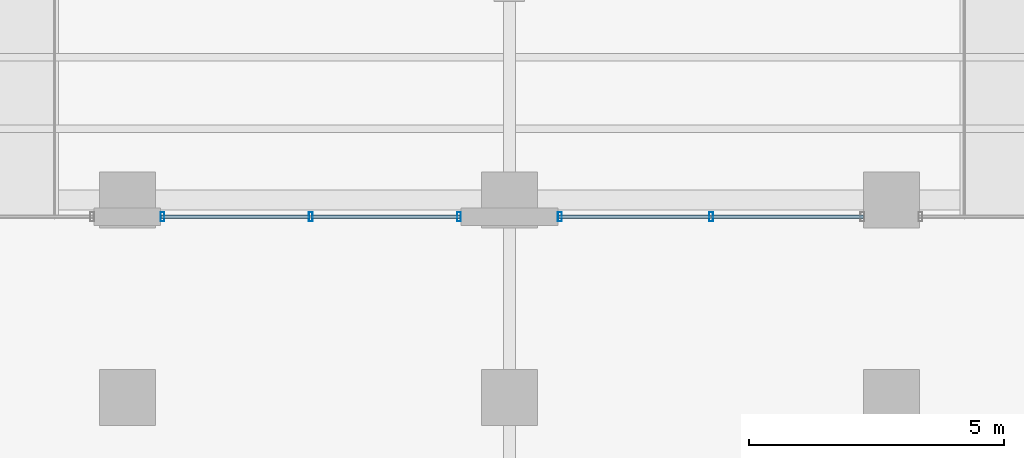
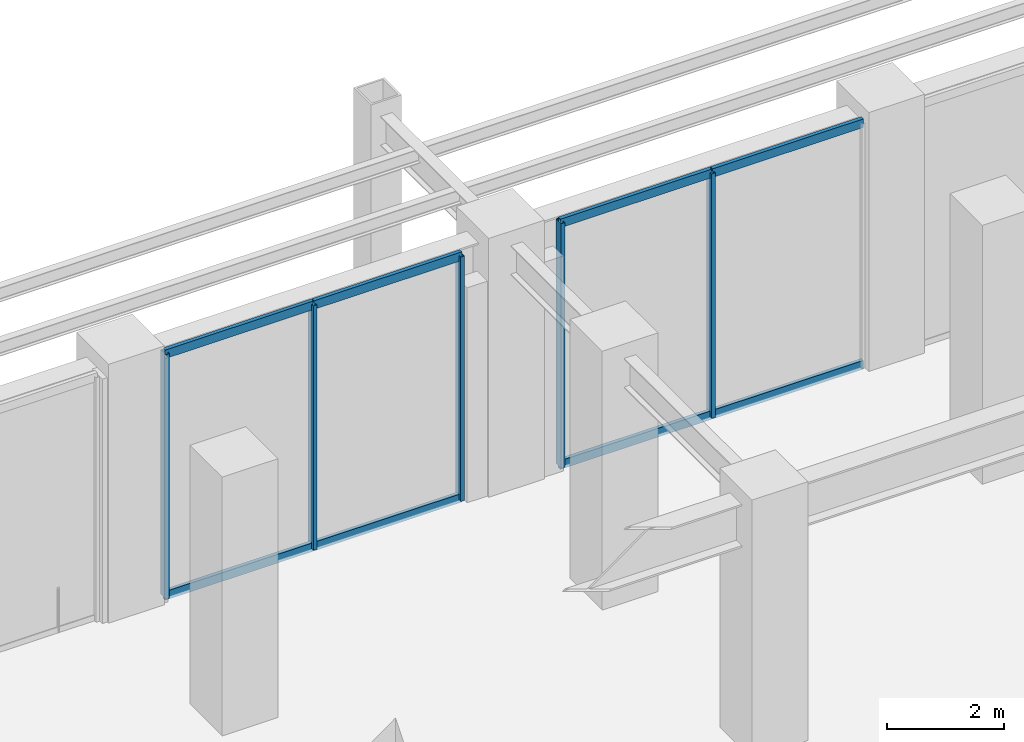
# One storey, part 8 of 23: 13 members, 2 elements without a shape of their own.
"""IFC4 building model written with IfcOpenShell, lengths in metres."""

from ifc_helpers import new_model, si_unit, direction, frame, origin, origin_2d, place, context, subcontext, project, spatial, hollow_rectangle, extrude, material, material_profile, profile_set, type_object, element, aggregate, save


model = new_model("IFC4")

# Units and contexts
model_context = context("Model", 3, precision=1e-05, world=origin(), true_north=direction((0.0, 1.0)))
body_context = subcontext(model_context, "Body", "Model", "MODEL_VIEW")
ifc_project = project(units=[si_unit("LENGTHUNIT", "METRE"), si_unit("AREAUNIT", "SQUARE_METRE"), si_unit("VOLUMEUNIT", "CUBIC_METRE"), si_unit("PLANEANGLEUNIT", "RADIAN"), si_unit("MASSUNIT", "GRAM", prefix="KILO")], contexts=[model_context])

# Site, building, storey
site_placement = place(None, origin())
site = spatial("IfcSite", under=ifc_project, at=site_placement, CompositionType="ELEMENT")
building_placement = place(site_placement, origin())
building = spatial("IfcBuilding", under=site, at=building_placement, Name="Ventersveld Concourse Tower", CompositionType="ELEMENT")
storey_placement = place(building_placement, origin())
storey = spatial("IfcBuildingStorey", under=building, at=storey_placement, Name="L00", CompositionType="ELEMENT", Elevation=0.0)

# Curtain wall, members
ifc_material = material(Name="Anodised aluminium EN AW-6063-T6", Category="aluminium")
curtain_wall_type = type_object("IfcCurtainWallType", Name="CW-CONC-1", PredefinedType="NOTDEFINED", material=ifc_material)
curtain_wall_1_placement = place(storey_placement, origin())
curtain_wall_1 = element("IfcCurtainWall", 1, at=curtain_wall_1_placement, inside=storey, type_object=curtain_wall_type, Name="L00 Station Concourse North Storefront 2B", PredefinedType="NOTDEFINED")
ifc_material_profile_1 = material_profile(ifc_material, hollow_rectangle(XDim=0.074951171875, YDim=0.179931640625, WallThickness=0.00390625, at=origin_2d()), Name="ALU 180x75x4")
ifc_profile_set_1 = profile_set([ifc_material_profile_1], Name="Anodised aluminium EN AW-6063-T6")
member_type_1 = type_object("IfcMemberType", Name="CWM-180x75", PredefinedType="MULLION", material=ifc_profile_set_1)
member_1_placement = place(storey_placement, frame((21.93994140625, 43.669921875, 0.0), z_axis=(0.0, 0.0, 1.0), x_axis=(1.0, 0.0, 0.0)))
member_1 = element("IfcMember", 2, at=member_1_placement, type_object=member_type_1, Name="CW-L00-N2B Mullion 01", PredefinedType="MULLION", context=body_context, shape_type="SweptSolid", body=[
    extrude(hollow_rectangle(XDim=0.074951171875, YDim=0.179931640625, WallThickness=0.00390625, at=origin_2d()), origin(), (0.0, 0.0, 1.0), 5.10009765625),
])
member_2_placement = place(storey_placement, frame((24.85009765625, 43.669921875, 0.0), z_axis=(0.0, 0.0, 1.0), x_axis=(1.0, 0.0, 0.0)))
member_2 = element("IfcMember", 3, at=member_2_placement, type_object=member_type_1, Name="CW-L00-N2B Mullion 02", PredefinedType="MULLION", context=body_context, shape_type="SweptSolid", body=[
    extrude(hollow_rectangle(XDim=0.074951171875, YDim=0.179931640625, WallThickness=0.00390625, at=origin_2d()), origin(), (0.0, 0.0, 1.0), 5.10009765625),
])
member_3_placement = place(storey_placement, frame((27.760009765625, 43.669921875, 0.0), z_axis=(0.0, 0.0, 1.0), x_axis=(1.0, 0.0, 0.0)))
member_3 = element("IfcMember", 4, at=member_3_placement, type_object=member_type_1, Name="CW-L00-N2B Mullion 03", PredefinedType="MULLION", context=body_context, shape_type="SweptSolid", body=[
    extrude(hollow_rectangle(XDim=0.074951171875, YDim=0.179931640625, WallThickness=0.00390625, at=origin_2d()), origin(), (0.0, 0.0, 1.0), 5.10009765625),
])

curtain_wall_2_placement = place(storey_placement, origin())
curtain_wall_2 = element("IfcCurtainWall", 5, at=curtain_wall_2_placement, inside=storey, type_object=curtain_wall_type, Name="L00 Station Concourse North Storefront 3", PredefinedType="NOTDEFINED")
member_4_placement = place(storey_placement, frame((29.739990234375, 43.669921875, 0.0), z_axis=(0.0, 0.0, 1.0), x_axis=(1.0, 0.0, 0.0)))
member_4 = element("IfcMember", 6, at=member_4_placement, type_object=member_type_1, Name="CW-L00-N3-S1 Mullion 01", PredefinedType="MULLION", context=body_context, shape_type="SweptSolid", body=[
    extrude(hollow_rectangle(XDim=0.074951171875, YDim=0.179931640625, WallThickness=0.00390625, at=origin_2d()), origin(), (0.0, 0.0, 1.0), 5.10009765625),
])
member_5_placement = place(storey_placement, frame((32.7099609375, 43.669921875, 0.0), z_axis=(0.0, 0.0, 1.0), x_axis=(1.0, 0.0, 0.0)))
member_5 = element("IfcMember", 7, at=member_5_placement, type_object=member_type_1, Name="CW-L00-N3-S1 Mullion 02", PredefinedType="MULLION", context=body_context, shape_type="SweptSolid", body=[
    extrude(hollow_rectangle(XDim=0.074951171875, YDim=0.179931640625, WallThickness=0.00390625, at=origin_2d()), origin(), (0.0, 0.0, 1.0), 5.10009765625),
])

# Member
ifc_material_profile_2 = material_profile(ifc_material, hollow_rectangle(XDim=0.074951171875, YDim=0.179931640625, WallThickness=0.00390625, at=origin_2d()), Name="ALU 180x75x4")
ifc_profile_set_2 = profile_set([ifc_material_profile_2], Name="Anodised aluminium EN AW-6063-T6")
member_type_2 = type_object("IfcMemberType", Name="CWT-180x75", PredefinedType="USERDEFINED", material=ifc_profile_set_2)
member_6_placement = place(storey_placement, frame((21.919921875, 43.669921875, 0.030029296875), z_axis=(1.0, 0.0, 0.0), x_axis=(0.0, 1.0, 0.0)))
member_6 = element("IfcMember", 8, at=member_6_placement, type_object=member_type_2, Name="CW-L00-N2B Transom 1-01", ObjectType="TRANSOM", PredefinedType="USERDEFINED", context=body_context, shape_type="SweptSolid", body=[
    extrude(hollow_rectangle(XDim=0.074951171875, YDim=0.179931640625, WallThickness=0.00390625, at=origin_2d()), origin(), (0.0, 0.0, 1.0), 2.920166015625),
])

member_7_placement = place(storey_placement, frame((24.860107421875, 43.669921875, 0.030029296875), z_axis=(1.0, 0.0, 0.0), x_axis=(0.0, 1.0, 0.0)))
member_7 = element("IfcMember", 9, at=member_7_placement, type_object=member_type_2, Name="CW-L00-N2B Transom 1-02", ObjectType="TRANSOM", PredefinedType="USERDEFINED", context=body_context, shape_type="SweptSolid", body=[
    extrude(hollow_rectangle(XDim=0.074951171875, YDim=0.179931640625, WallThickness=0.00390625, at=origin_2d()), origin(), (0.0, 0.0, 1.0), 2.919921875),
])

member_8_placement = place(storey_placement, frame((21.919921875, 43.669921875, 5.070068359375), z_axis=(1.0, 0.0, 0.0), x_axis=(0.0, 1.0, 0.0)))
member_8 = element("IfcMember", 10, at=member_8_placement, type_object=member_type_2, Name="CW-L00-N2B Transom 2-01", ObjectType="TRANSOM", PredefinedType="USERDEFINED", context=body_context, shape_type="SweptSolid", body=[
    extrude(hollow_rectangle(XDim=0.074951171875, YDim=0.179931640625, WallThickness=0.00390625, at=origin_2d()), origin(), (0.0, 0.0, 1.0), 2.920166015625),
])

member_9_placement = place(storey_placement, frame((24.860107421875, 43.669921875, 5.070068359375), z_axis=(1.0, 0.0, 0.0), x_axis=(0.0, 1.0, 0.0)))
member_9 = element("IfcMember", 11, at=member_9_placement, type_object=member_type_2, Name="CW-L00-N2B Transom 2-02", ObjectType="TRANSOM", PredefinedType="USERDEFINED", context=body_context, shape_type="SweptSolid", body=[
    extrude(hollow_rectangle(XDim=0.074951171875, YDim=0.179931640625, WallThickness=0.00390625, at=origin_2d()), origin(), (0.0, 0.0, 1.0), 2.919921875),
])

aggregate(curtain_wall_1, [member_1, member_2, member_3, member_6, member_7, member_8, member_9])

member_10_placement = place(storey_placement, frame((29.719970703125, 43.669921875, 0.030029296875), z_axis=(1.0, 0.0, 0.0), x_axis=(0.0, 1.0, 0.0)))
member_10 = element("IfcMember", 12, at=member_10_placement, type_object=member_type_2, Name="CW-L00-N3-S1 Transom 1-01", ObjectType="TRANSOM", PredefinedType="USERDEFINED", context=body_context, shape_type="SweptSolid", body=[
    extrude(hollow_rectangle(XDim=0.074951171875, YDim=0.179931640625, WallThickness=0.00390625, at=origin_2d()), origin(), (0.0, 0.0, 1.0), 2.97998046875),
])

member_11_placement = place(storey_placement, frame((32.719970703125, 43.669921875, 0.030029296875), z_axis=(1.0, 0.0, 0.0), x_axis=(0.0, 1.0, 0.0)))
member_11 = element("IfcMember", 13, at=member_11_placement, type_object=member_type_2, Name="CW-L00-N3-S1 Transom 1-02", ObjectType="TRANSOM", PredefinedType="USERDEFINED", context=body_context, shape_type="SweptSolid", body=[
    extrude(hollow_rectangle(XDim=0.074951171875, YDim=0.179931640625, WallThickness=0.00390625, at=origin_2d()), origin(), (0.0, 0.0, 1.0), 2.97998046875),
])

member_12_placement = place(storey_placement, frame((29.719970703125, 43.669921875, 5.070068359375), z_axis=(1.0, 0.0, 0.0), x_axis=(0.0, 1.0, 0.0)))
member_12 = element("IfcMember", 14, at=member_12_placement, type_object=member_type_2, Name="CW-L00-N3-S1 Transom 2-01", ObjectType="TRANSOM", PredefinedType="USERDEFINED", context=body_context, shape_type="SweptSolid", body=[
    extrude(hollow_rectangle(XDim=0.074951171875, YDim=0.179931640625, WallThickness=0.00390625, at=origin_2d()), origin(), (0.0, 0.0, 1.0), 2.97998046875),
])

member_13_placement = place(storey_placement, frame((32.719970703125, 43.669921875, 5.070068359375), z_axis=(1.0, 0.0, 0.0), x_axis=(0.0, 1.0, 0.0)))
member_13 = element("IfcMember", 15, at=member_13_placement, type_object=member_type_2, Name="CW-L00-N3-S1 Transom 2-02", ObjectType="TRANSOM", PredefinedType="USERDEFINED", context=body_context, shape_type="SweptSolid", body=[
    extrude(hollow_rectangle(XDim=0.074951171875, YDim=0.179931640625, WallThickness=0.00390625, at=origin_2d()), origin(), (0.0, 0.0, 1.0), 2.97998046875),
])

aggregate(curtain_wall_2, [member_4, member_5, member_10, member_11, member_12, member_13])

save(model, "model.ifc")
